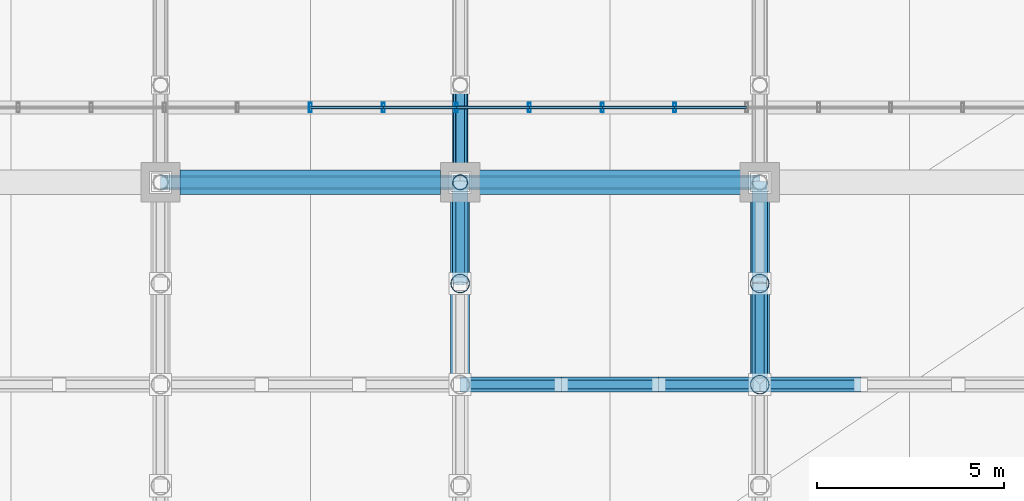
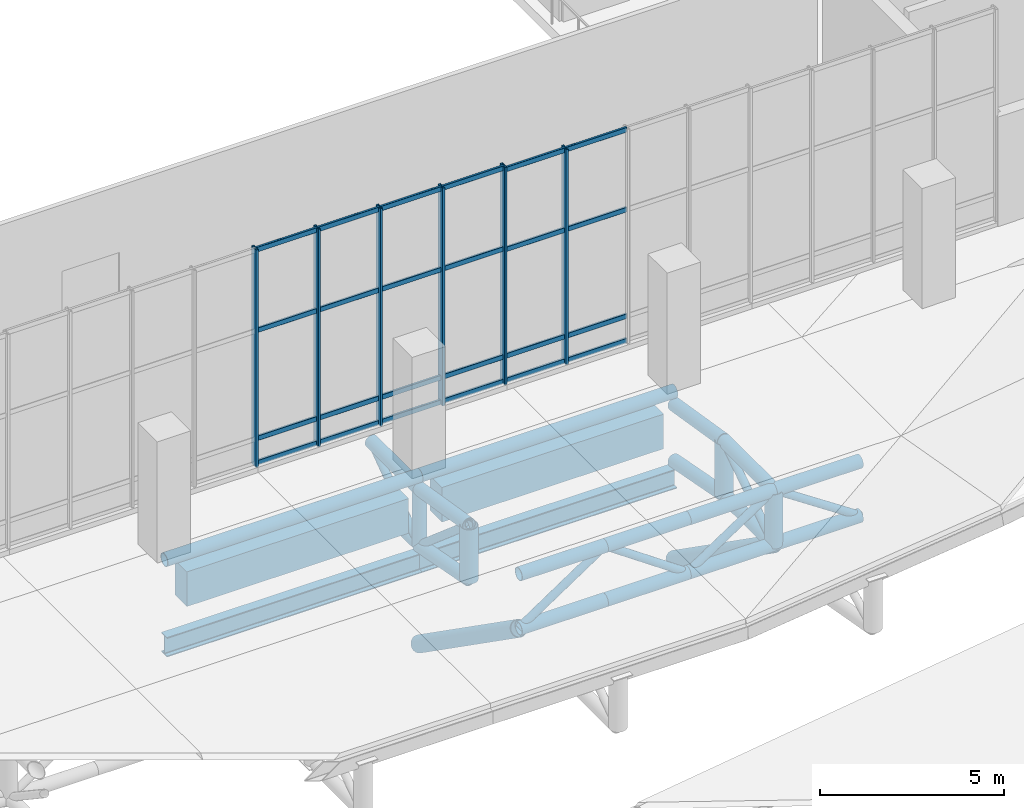
# One storey, part 29 of 137: 61 members, 4 beams, 3 elements without a shape of their own.
"""IFC4 building model written with IfcOpenShell, lengths in metres."""

from ifc_helpers import new_model, si_unit, direction, frame, origin, origin_2d, place, context, subcontext, project, spatial, rectangle, hollow_rectangle, hollow_circle, i_section, extrude, material, layer, layer_set, material_profile, profile_set, type_object, element, aggregate, save


model = new_model("IFC4")

# Units and contexts
model_context = context("Model", 3, precision=1e-05, world=origin(), true_north=direction((0.0, 1.0)))
body_context = subcontext(model_context, "Body", "Model", "MODEL_VIEW")
ifc_project = project(units=[si_unit("LENGTHUNIT", "METRE"), si_unit("AREAUNIT", "SQUARE_METRE"), si_unit("VOLUMEUNIT", "CUBIC_METRE"), si_unit("PLANEANGLEUNIT", "RADIAN"), si_unit("MASSUNIT", "GRAM", prefix="KILO")], contexts=[model_context])

# Site, building, storey
site_placement = place(None, origin())
site = spatial("IfcSite", under=ifc_project, at=site_placement, CompositionType="ELEMENT")
building_placement = place(site_placement, origin())
building = spatial("IfcBuilding", under=site, at=building_placement, Name="Khorjan Park Terminus", CompositionType="ELEMENT")
storey_placement = place(building_placement, frame((0.0, 0.0, 11.4)))
storey = spatial("IfcBuildingStorey", under=building, at=storey_placement, Name="L02", CompositionType="ELEMENT", Elevation=11.4)

# Members
ifc_material_1 = material(Name="Steel S355", Category="steel")
ifc_material_profile_1 = material_profile(ifc_material_1, hollow_circle(Radius=0.1222, WallThickness=0.0125, at=origin_2d()), Name="CHS 244.5x12.5")
ifc_profile_set_1 = profile_set([ifc_material_profile_1], Name="Steel S355")
member_type_1 = type_object("IfcMemberType", Name="MB-BR-245", PredefinedType="BRACE", material=ifc_profile_set_1)
member_1_placement = place(storey_placement, frame((96.0, 26.0, -1.92), z_axis=(0.0, 0.811830357573, 0.583893372562), x_axis=(-1.0, 0.0, 0.0)))
element("IfcMember", 1, at=member_1_placement, inside=storey, type_object=member_type_1, Name="Lower shell cantilever truss diagonal (7S)", PredefinedType="BRACE", context=body_context, shape_type="SweptSolid", body=[
    extrude(hollow_circle(Radius=0.1222, WallThickness=0.0125, at=origin_2d()), origin(), (0.0, 0.0, 1.0), 3.2026),
])
ifc_material_profile_2 = material_profile(ifc_material_1, hollow_circle(Radius=0.1222, WallThickness=0.0125, at=origin_2d()), Name="CHS 244.5x12.5")
ifc_profile_set_2 = profile_set([ifc_material_profile_2], Name="Steel S355")
member_type_2 = type_object("IfcMemberType", Name="MB-BRE-245", PredefinedType="BRACE", material=ifc_profile_set_2)
member_2_placement = place(storey_placement, frame((96.0, 23.3, 0.392), z_axis=(0.0, 0.759574242279, -0.650420610426), x_axis=(-1.0, 0.0, 0.0)))
element("IfcMember", 2, at=member_2_placement, inside=storey, type_object=member_type_2, Name="Lower shell cantilever truss diagonal (7S)", PredefinedType="BRACE", context=body_context, shape_type="SweptSolid", body=[
    extrude(hollow_circle(Radius=0.1222, WallThickness=0.0125, at=origin_2d()), origin(), (0.0, 0.0, 1.0), 3.5546),
])
for number, where, z_axis, x_axis, name in (
    (3, (104.0, 20.6, -1.408), (0.0, 0.832050294338, 0.554700196225), (-1.0, 0.0, 0.0), "Lower shell cantilever truss diagonal (8S)"),
    (4, (96.0, 20.6, -1.408), (0.832050294338, 0.0, 0.554700196225), (0.0, 1.0, 0.0), "Lower shell mid-ring diagonal (S23)"),
):
    element("IfcMember", number, at=place(storey_placement, frame(where, z_axis=z_axis, x_axis=x_axis)), inside=storey, type_object=member_type_2, Name=name, PredefinedType="BRACE", context=body_context, shape_type="SweptSolid", body=[
        extrude(hollow_circle(Radius=0.1222, WallThickness=0.0125, at=origin_2d()), origin(), (0.0, 0.0, 1.0), 3.245),
    ])
member_3_placement = place(storey_placement, frame((98.7, 20.6, 0.392), z_axis=(0.822192191644, 0.0, -0.56920997883), x_axis=(0.0, 1.0, 0.0)))
element("IfcMember", 5, at=member_3_placement, inside=storey, type_object=member_type_2, Name="Lower shell mid-ring diagonal (S24)", PredefinedType="BRACE", context=body_context, shape_type="SweptSolid", body=[
    extrude(hollow_circle(Radius=0.1222, WallThickness=0.0125, at=origin_2d()), origin(), (0.0, 0.0, 1.0), 3.1623),
])
for number, where, z_axis, x_axis, name in (
    (6, (101.3, 20.6, -1.408), (0.832050294338, 0.0, 0.554700196225), (0.0, 1.0, 0.0), "Lower shell mid-ring diagonal (S25)"),
    (7, (104.0, 20.6, 0.392), (0.832050294338, 0.0, -0.554700196225), (0.0, 1.0, 0.0), "Lower shell mid-ring diagonal (S26)"),
):
    element("IfcMember", number, at=place(storey_placement, frame(where, z_axis=z_axis, x_axis=x_axis)), inside=storey, type_object=member_type_2, Name=name, PredefinedType="BRACE", context=body_context, shape_type="SweptSolid", body=[
        extrude(hollow_circle(Radius=0.1222, WallThickness=0.0125, at=origin_2d()), origin(), (0.0, 0.0, 1.0), 3.245),
    ])
ifc_material_profile_3 = material_profile(ifc_material_1, hollow_circle(Radius=0.1778, WallThickness=0.016, at=origin_2d()), Name="CHS 355.6x16")
ifc_profile_set_3 = profile_set([ifc_material_profile_3], Name="Steel S355")
member_type_3 = type_object("IfcMemberType", Name="MB-CH-356", PredefinedType="CHORD", material=ifc_profile_set_3)
member_4_placement = place(storey_placement, frame((96.0, 26.0, -1.92), z_axis=(0.0, 1.0, 0.0), x_axis=(-1.0, 0.0, 0.0)))
element("IfcMember", 8, at=member_4_placement, inside=storey, type_object=member_type_3, Name="Lower shell cantilever truss bottom chord (7S)", PredefinedType="CHORD", context=body_context, shape_type="SweptSolid", body=[
    extrude(hollow_circle(Radius=0.1778, WallThickness=0.016, at=origin_2d()), origin(), (0.0, 0.0, 1.0), 2.6),
])
ifc_material_profile_4 = material_profile(ifc_material_1, hollow_circle(Radius=0.2032, WallThickness=0.016, at=origin_2d()), Name="CHS 406.4x16")
ifc_profile_set_4 = profile_set([ifc_material_profile_4], Name="Steel S355")
member_type_4 = type_object("IfcMemberType", Name="MB-CH-406", PredefinedType="CHORD", material=ifc_profile_set_4)
member_5_placement = place(storey_placement, frame((96.0, 26.0, -0.05), z_axis=(0.0, 1.0, 0.0), x_axis=(-1.0, 0.0, 0.0)))
element("IfcMember", 9, at=member_5_placement, inside=storey, type_object=member_type_4, Name="Lower shell cantilever truss top chord (7S)", PredefinedType="CHORD", context=body_context, shape_type="SweptSolid", body=[
    extrude(hollow_circle(Radius=0.2032, WallThickness=0.016, at=origin_2d()), origin(), (0.0, 0.0, 1.0), 2.6),
])
ifc_material_profile_5 = material_profile(ifc_material_1, hollow_circle(Radius=0.2032, WallThickness=0.016, at=origin_2d()), Name="CHS 406.4x16")
ifc_profile_set_5 = profile_set([ifc_material_profile_5], Name="Steel S355")
member_type_5 = type_object("IfcMemberType", Name="MB-CHE-406", PredefinedType="CHORD", material=ifc_profile_set_5)
for number, where, z_axis, x_axis, name in (
    (10, (88.0, 26.0, 0.392), (1.0, 0.0, 0.0), (0.0, 1.0, 0.0), "Lower wrapping shell rim chord (64)"),
    (11, (96.0, 26.0, 0.392), (1.0, 0.0, 0.0), (0.0, 1.0, 0.0), "Lower wrapping shell rim chord (65)"),
):
    element("IfcMember", number, at=place(storey_placement, frame(where, z_axis=z_axis, x_axis=x_axis)), inside=storey, type_object=member_type_5, Name=name, PredefinedType="CHORD", context=body_context, shape_type="SweptSolid", body=[
        extrude(hollow_circle(Radius=0.2032, WallThickness=0.016, at=origin_2d()), origin(), (0.0, 0.0, 1.0), 8.0),
    ])
member_6_placement = place(storey_placement, frame((96.0, 23.3, 0.392), z_axis=(0.0, 0.986863989833, -0.161553290188), x_axis=(-1.0, 0.0, 0.0)))
element("IfcMember", 12, at=member_6_placement, inside=storey, type_object=member_type_5, Name="Lower shell cantilever truss top chord (7S)", PredefinedType="CHORD", context=body_context, shape_type="SweptSolid", body=[
    extrude(hollow_circle(Radius=0.2032, WallThickness=0.016, at=origin_2d()), origin(), (0.0, 0.0, 1.0), 2.7359),
])
member_7_placement = place(storey_placement, frame((96.0, 23.3, -1.408), z_axis=(0.0, 0.98249111826, -0.18630942687), x_axis=(-1.0, 0.0, 0.0)))
element("IfcMember", 13, at=member_7_placement, inside=storey, type_object=member_type_5, Name="Lower shell cantilever truss bottom chord (7S)", PredefinedType="CHORD", context=body_context, shape_type="SweptSolid", body=[
    extrude(hollow_circle(Radius=0.2032, WallThickness=0.016, at=origin_2d()), origin(), (0.0, 0.0, 1.0), 2.7481),
])
for number, where, z_axis, x_axis, name in (
    (14, (104.0, 20.6, 0.392), (0.0, 1.0, 0.0), (-1.0, 0.0, 0.0), "Lower shell cantilever truss top chord (8S)"),
    (15, (104.0, 20.6, -1.408), (0.0, 1.0, 0.0), (-1.0, 0.0, 0.0), "Lower shell cantilever truss bottom chord (8S)"),
):
    element("IfcMember", number, at=place(storey_placement, frame(where, z_axis=z_axis, x_axis=x_axis)), inside=storey, type_object=member_type_5, Name=name, PredefinedType="CHORD", context=body_context, shape_type="SweptSolid", body=[
        extrude(hollow_circle(Radius=0.2032, WallThickness=0.016, at=origin_2d()), origin(), (0.0, 0.0, 1.0), 2.7),
    ])
member_8_placement = place(storey_placement, frame((104.0, 23.3, 0.392), z_axis=(0.0, 0.986863989833, -0.161553290188), x_axis=(-1.0, 0.0, 0.0)))
element("IfcMember", 16, at=member_8_placement, inside=storey, type_object=member_type_5, Name="Lower shell cantilever truss top chord (8S)", PredefinedType="CHORD", context=body_context, shape_type="SweptSolid", body=[
    extrude(hollow_circle(Radius=0.2032, WallThickness=0.016, at=origin_2d()), origin(), (0.0, 0.0, 1.0), 2.7359),
])
member_9_placement = place(storey_placement, frame((104.0, 23.3, -1.408), z_axis=(0.0, 0.98249111826, -0.18630942687), x_axis=(-1.0, 0.0, 0.0)))
element("IfcMember", 17, at=member_9_placement, inside=storey, type_object=member_type_5, Name="Lower shell cantilever truss bottom chord (8S)", PredefinedType="CHORD", context=body_context, shape_type="SweptSolid", body=[
    extrude(hollow_circle(Radius=0.2032, WallThickness=0.016, at=origin_2d()), origin(), (0.0, 0.0, 1.0), 2.7481),
])
for number, where, z_axis, x_axis, name in (
    (18, (96.0, 20.6, 0.392), (1.0, 0.0, 0.0), (0.0, 1.0, 0.0), "Lower shell mid-ring top chord (S23)"),
    (19, (96.0, 20.6, -1.408), (1.0, 0.0, 0.0), (0.0, 1.0, 0.0), "Lower shell mid-ring bottom chord (S23)"),
):
    element("IfcMember", number, at=place(storey_placement, frame(where, z_axis=z_axis, x_axis=x_axis)), inside=storey, type_object=member_type_5, Name=name, PredefinedType="CHORD", context=body_context, shape_type="SweptSolid", body=[
        extrude(hollow_circle(Radius=0.2032, WallThickness=0.016, at=origin_2d()), origin(), (0.0, 0.0, 1.0), 2.7),
    ])
for number, where, z_axis, x_axis, name in (
    (20, (98.7, 20.6, 0.392), (1.0, 0.0, 0.0), (0.0, 1.0, 0.0), "Lower shell mid-ring top chord (S24)"),
    (21, (98.7, 20.6, -1.408), (1.0, 0.0, 0.0), (0.0, 1.0, 0.0), "Lower shell mid-ring bottom chord (S24)"),
):
    element("IfcMember", number, at=place(storey_placement, frame(where, z_axis=z_axis, x_axis=x_axis)), inside=storey, type_object=member_type_5, Name=name, PredefinedType="CHORD", context=body_context, shape_type="SweptSolid", body=[
        extrude(hollow_circle(Radius=0.2032, WallThickness=0.016, at=origin_2d()), origin(), (0.0, 0.0, 1.0), 2.6),
    ])
for number, where, z_axis, x_axis, name in (
    (22, (101.3, 20.6, 0.392), (1.0, 0.0, 0.0), (0.0, 1.0, 0.0), "Lower shell mid-ring top chord (S25)"),
    (23, (101.3, 20.6, -1.408), (1.0, 0.0, 0.0), (0.0, 1.0, 0.0), "Lower shell mid-ring bottom chord (S25)"),
    (24, (104.0, 20.6, 0.392), (1.0, 0.0, 0.0), (0.0, 1.0, 0.0), "Lower shell mid-ring top chord (S26)"),
    (25, (104.0, 20.6, -1.408), (1.0, 0.0, 0.0), (0.0, 1.0, 0.0), "Lower shell mid-ring bottom chord (S26)"),
):
    element("IfcMember", number, at=place(storey_placement, frame(where, z_axis=z_axis, x_axis=x_axis)), inside=storey, type_object=member_type_5, Name=name, PredefinedType="CHORD", context=body_context, shape_type="SweptSolid", body=[
        extrude(hollow_circle(Radius=0.2032, WallThickness=0.016, at=origin_2d()), origin(), (0.0, 0.0, 1.0), 2.7),
    ])
ifc_material_profile_6 = material_profile(ifc_material_1, hollow_circle(Radius=0.2032, WallThickness=0.016, at=origin_2d()), Name="CHS 406.4x16")
ifc_profile_set_6 = profile_set([ifc_material_profile_6], Name="Steel S355")
member_type_6 = type_object("IfcMemberType", Name="MB-ST-406", PredefinedType="STRUT", material=ifc_profile_set_6)
member_10_placement = place(storey_placement, frame((96.0, 26.0, -1.92), z_axis=(0.0, 0.0, 1.0), x_axis=(1.0, 0.0, 0.0)))
element("IfcMember", 26, at=member_10_placement, inside=storey, type_object=member_type_6, Name="Lower shell cantilever truss post (7S)", PredefinedType="STRUT", context=body_context, shape_type="SweptSolid", body=[
    extrude(hollow_circle(Radius=0.2032, WallThickness=0.016, at=origin_2d()), origin(), (0.0, 0.0, 1.0), 1.87),
])
ifc_material_profile_7 = material_profile(ifc_material_1, hollow_circle(Radius=0.254, WallThickness=0.02, at=origin_2d()), Name="CHS 508x20")
ifc_profile_set_7 = profile_set([ifc_material_profile_7], Name="Steel S355")
member_type_7 = type_object("IfcMemberType", Name="MB-STE-508", PredefinedType="STRUT", material=ifc_profile_set_7)
member_11_placement = place(storey_placement, frame((96.0, 23.3, -1.408), z_axis=(0.0, 0.0, 1.0), x_axis=(1.0, 0.0, 0.0)))
element("IfcMember", 27, at=member_11_placement, inside=storey, type_object=member_type_7, Name="Lower shell cantilever truss post (7S)", PredefinedType="STRUT", context=body_context, shape_type="SweptSolid", body=[
    extrude(hollow_circle(Radius=0.254, WallThickness=0.02, at=origin_2d()), origin(), (0.0, 0.0, 1.0), 1.8),
])
member_12_placement = place(storey_placement, frame((96.0, 26.0, -5.2), z_axis=(0.0, -0.818376628533, 0.574682254703), x_axis=(1.0, 0.0, 0.0)))
element("IfcMember", 28, at=member_12_placement, inside=storey, type_object=member_type_7, Name="Lower shell raked overhang V-strut STE-51 (7S)", PredefinedType="STRUT", context=body_context, shape_type="SweptSolid", body=[
    extrude(hollow_circle(Radius=0.254, WallThickness=0.02, at=origin_2d()), origin(), (0.0, 0.0, 1.0), 6.5984),
])
for number, where, z_axis, x_axis, name in (
    (29, (104.0, 20.6, -1.408), (0.0, 0.0, 1.0), (1.0, 0.0, 0.0), "Lower shell cantilever truss post (8S)"),
    (30, (104.0, 23.3, -1.408), (0.0, 0.0, 1.0), (1.0, 0.0, 0.0), "Lower shell cantilever truss post (8S)"),
):
    element("IfcMember", number, at=place(storey_placement, frame(where, z_axis=z_axis, x_axis=x_axis)), inside=storey, type_object=member_type_7, Name=name, PredefinedType="STRUT", context=body_context, shape_type="SweptSolid", body=[
        extrude(hollow_circle(Radius=0.254, WallThickness=0.02, at=origin_2d()), origin(), (0.0, 0.0, 1.0), 1.8),
    ])
member_13_placement = place(storey_placement, frame((104.0, 26.0, -5.2), z_axis=(0.0, -0.818376628533, 0.574682254703), x_axis=(1.0, 0.0, 0.0)))
element("IfcMember", 31, at=member_13_placement, inside=storey, type_object=member_type_7, Name="Lower shell raked overhang V-strut STE-51 (8S)", PredefinedType="STRUT", context=body_context, shape_type="SweptSolid", body=[
    extrude(hollow_circle(Radius=0.254, WallThickness=0.02, at=origin_2d()), origin(), (0.0, 0.0, 1.0), 6.5984),
])

# Curtain wall, member
ifc_material_2 = material(Name="Anodized Bronze Aluminium", Category="aluminium")
ifc_layer = layer(ifc_material_2, 0.22)
ifc_layer_set = layer_set([ifc_layer], Name="Anodized Bronze Aluminium")
curtain_wall_type = type_object("IfcCurtainWallType", Name="CW-CONC-CLR", PredefinedType="NOTDEFINED", material=ifc_layer_set)
curtain_wall_1_placement = place(storey_placement, origin())
curtain_wall_1 = element("IfcCurtainWall", 32, at=curtain_wall_1_placement, inside=storey, type_object=curtain_wall_type, Name="Unitized curtain wall CW-CL (CW-V2-S-CLR-04)", PredefinedType="NOTDEFINED")
ifc_material_profile_8 = material_profile(ifc_material_2, hollow_rectangle(XDim=0.08, YDim=0.25, WallThickness=0.005, InnerFilletRadius=0.005, OuterFilletRadius=0.01, at=origin_2d()), Name="ALM 80x250x5")
ifc_profile_set_8 = profile_set([ifc_material_profile_8], Name="Anodized Bronze Aluminium")
member_type_8 = type_object("IfcMemberType", Name="ML-ALM-250", PredefinedType="MULLION", material=ifc_profile_set_8)
member_14_placement = place(storey_placement, frame((92.0, 28.0, 0.915), z_axis=(0.0, 0.0, 1.0), x_axis=(1.0, 0.0, 0.0)))
member_14 = element("IfcMember", 33, at=member_14_placement, type_object=member_type_8, Name="Curtain-wall mullion ML-25 (CW-V2-S-CLR-04-4)", PredefinedType="MULLION", context=body_context, shape_type="SweptSolid", body=[
    extrude(hollow_rectangle(XDim=0.08, YDim=0.25, WallThickness=0.005, InnerFilletRadius=0.005, OuterFilletRadius=0.01, at=origin_2d()), origin(), (0.0, 0.0, 1.0), 7.2215),
])
aggregate(curtain_wall_1, [member_14])

# Curtain wall, members
curtain_wall_2_placement = place(storey_placement, origin())
curtain_wall_2 = element("IfcCurtainWall", 34, at=curtain_wall_2_placement, inside=storey, type_object=curtain_wall_type, Name="Unitized curtain wall CW-CL (CW-V2-S-CLR-05)", PredefinedType="NOTDEFINED")
member_15_placement = place(storey_placement, frame((93.95, 28.0, 0.915), z_axis=(0.0, 0.0, 1.0), x_axis=(1.0, 0.0, 0.0)))
member_15 = element("IfcMember", 35, at=member_15_placement, type_object=member_type_8, Name="Curtain-wall mullion ML-25 (CW-V2-S-CLR-05-1)", PredefinedType="MULLION", context=body_context, shape_type="SweptSolid", body=[
    extrude(hollow_rectangle(XDim=0.08, YDim=0.25, WallThickness=0.005, InnerFilletRadius=0.005, OuterFilletRadius=0.01, at=origin_2d()), origin(), (0.0, 0.0, 1.0), 7.2215),
])
member_16_placement = place(storey_placement, frame((95.9, 28.0, 0.915), z_axis=(0.0, 0.0, 1.0), x_axis=(1.0, 0.0, 0.0)))
member_16 = element("IfcMember", 36, at=member_16_placement, type_object=member_type_8, Name="Curtain-wall mullion ML-25 (CW-V2-S-CLR-05-2)", PredefinedType="MULLION", context=body_context, shape_type="SweptSolid", body=[
    extrude(hollow_rectangle(XDim=0.08, YDim=0.25, WallThickness=0.005, InnerFilletRadius=0.005, OuterFilletRadius=0.01, at=origin_2d()), origin(), (0.0, 0.0, 1.0), 7.2215),
])
member_17_placement = place(storey_placement, frame((97.85, 28.0, 0.915), z_axis=(0.0, 0.0, 1.0), x_axis=(1.0, 0.0, 0.0)))
member_17 = element("IfcMember", 37, at=member_17_placement, type_object=member_type_8, Name="Curtain-wall mullion ML-25 (CW-V2-S-CLR-05-3)", PredefinedType="MULLION", context=body_context, shape_type="SweptSolid", body=[
    extrude(hollow_rectangle(XDim=0.08, YDim=0.25, WallThickness=0.005, InnerFilletRadius=0.005, OuterFilletRadius=0.01, at=origin_2d()), origin(), (0.0, 0.0, 1.0), 7.2215),
])
member_18_placement = place(storey_placement, frame((99.8, 28.0, 0.915), z_axis=(0.0, 0.0, 1.0), x_axis=(1.0, 0.0, 0.0)))
member_18 = element("IfcMember", 38, at=member_18_placement, type_object=member_type_8, Name="Curtain-wall mullion ML-25 (CW-V2-S-CLR-05-4)", PredefinedType="MULLION", context=body_context, shape_type="SweptSolid", body=[
    extrude(hollow_rectangle(XDim=0.08, YDim=0.25, WallThickness=0.005, InnerFilletRadius=0.005, OuterFilletRadius=0.01, at=origin_2d()), origin(), (0.0, 0.0, 1.0), 7.2215),
])

# Curtain wall, member
curtain_wall_3_placement = place(storey_placement, origin())
curtain_wall_3 = element("IfcCurtainWall", 39, at=curtain_wall_3_placement, inside=storey, type_object=curtain_wall_type, Name="Unitized curtain wall CW-CL (CW-V2-S-CLR-06)", PredefinedType="NOTDEFINED")
member_19_placement = place(storey_placement, frame((101.725, 28.0, 0.915), z_axis=(0.0, 0.0, 1.0), x_axis=(1.0, 0.0, 0.0)))
member_19 = element("IfcMember", 40, at=member_19_placement, type_object=member_type_8, Name="Curtain-wall mullion ML-25 (CW-V2-S-CLR-06-1)", PredefinedType="MULLION", context=body_context, shape_type="SweptSolid", body=[
    extrude(hollow_rectangle(XDim=0.08, YDim=0.25, WallThickness=0.005, InnerFilletRadius=0.005, OuterFilletRadius=0.01, at=origin_2d()), origin(), (0.0, 0.0, 1.0), 7.1432),
])

# Beams
ifc_material_profile_9 = material_profile(ifc_material_1, i_section(OverallWidth=0.3, OverallDepth=0.65, WebThickness=0.016, FlangeThickness=0.031, FilletRadius=0.027, at=origin_2d()), Name="HEB 650")
ifc_profile_set_9 = profile_set([ifc_material_profile_9], Name="Steel S355")
beam_type_1 = type_object("IfcBeamType", Name="SP-HEB650E", PredefinedType="SPANDREL", material=ifc_profile_set_9)
for number, where, z_axis, x_axis, name in (
    (41, (88.0, 26.0, -2.425), (1.0, 0.0, 0.0), (0.0, 1.0, 0.0), "Lower shell truss support girder SP-E65 (X6)"),
    (42, (96.0, 26.0, -2.425), (1.0, 0.0, 0.0), (0.0, 1.0, 0.0), "Lower shell truss support girder SP-E65 (X7)"),
):
    element("IfcBeam", number, at=place(storey_placement, frame(where, z_axis=z_axis, x_axis=x_axis)), inside=storey, type_object=beam_type_1, Name=name, PredefinedType="SPANDREL", context=body_context, shape_type="SweptSolid", body=[
        extrude(i_section(OverallWidth=0.3, OverallDepth=0.65, WebThickness=0.016, FlangeThickness=0.031, FilletRadius=0.027, at=origin_2d()), origin(), (0.0, 0.0, 1.0), 8.0),
    ])
ifc_material_3 = material(Name="Concrete C50/60", Category="concrete")
ifc_material_profile_10 = material_profile(ifc_material_3, rectangle(XDim=0.65, YDim=1.15, at=origin_2d()), Name="RC 650x1150")
ifc_profile_set_10 = profile_set([ifc_material_profile_10], Name="Concrete C50/60")
beam_type_2 = type_object("IfcBeamType", Name="SP-RC650x1150", PredefinedType="SPANDREL", material=ifc_profile_set_10)
for number, where, z_axis, x_axis, name in (
    (43, (88.52, 26.0, -0.575), (1.0, 0.0, 0.0), (0.0, 1.0, 0.0), "Concourse lower colonnade ring beam SP-11 (L02-47)"),
    (44, (96.52, 26.0, -0.575), (1.0, 0.0, 0.0), (0.0, 1.0, 0.0), "Concourse lower colonnade ring beam SP-11 (L02-49)"),
):
    element("IfcBeam", number, at=place(storey_placement, frame(where, z_axis=z_axis, x_axis=x_axis)), inside=storey, type_object=beam_type_2, Name=name, PredefinedType="SPANDREL", context=body_context, shape_type="SweptSolid", body=[
        extrude(rectangle(XDim=0.65, YDim=1.15, at=origin_2d()), origin(), (0.0, 0.0, 1.0), 6.96),
    ])

# Member
ifc_material_profile_11 = material_profile(ifc_material_2, hollow_rectangle(XDim=0.07, YDim=0.16, WallThickness=0.004, InnerFilletRadius=0.004, OuterFilletRadius=0.008, at=origin_2d()), Name="ALT 70x160x4")
ifc_profile_set_11 = profile_set([ifc_material_profile_11], Name="Anodized Bronze Aluminium")
member_type_9 = type_object("IfcMemberType", Name="TR-ALT-160", PredefinedType="USERDEFINED", material=ifc_profile_set_11)
member_20_placement = place(storey_placement, frame((92.0, 28.0, 0.99), z_axis=(1.0, 0.0, 0.0), x_axis=(0.0, 1.0, 0.0)))
member_20 = element("IfcMember", 45, at=member_20_placement, type_object=member_type_9, Name="Curtain-wall transom TR-16 (CW-V2-S-CLR-05-0-1)", ObjectType="TRANSOM", PredefinedType="USERDEFINED", context=body_context, shape_type="SweptSolid", body=[
    extrude(hollow_rectangle(XDim=0.07, YDim=0.16, WallThickness=0.004, InnerFilletRadius=0.004, OuterFilletRadius=0.008, at=origin_2d()), origin(), (0.0, 0.0, 1.0), 1.95),
])

member_21_placement = place(storey_placement, frame((92.0, 28.0, 1.8), z_axis=(1.0, 0.0, 0.0), x_axis=(0.0, 1.0, 0.0)))
member_21 = element("IfcMember", 46, at=member_21_placement, type_object=member_type_9, Name="Curtain-wall transom TR-16 (CW-V2-S-CLR-05-0-2)", ObjectType="TRANSOM", PredefinedType="USERDEFINED", context=body_context, shape_type="SweptSolid", body=[
    extrude(hollow_rectangle(XDim=0.07, YDim=0.16, WallThickness=0.004, InnerFilletRadius=0.004, OuterFilletRadius=0.008, at=origin_2d()), origin(), (0.0, 0.0, 1.0), 1.95),
])

member_22_placement = place(storey_placement, frame((92.0, 28.0, 5.3839), z_axis=(1.0, 0.0, 0.0), x_axis=(0.0, 1.0, 0.0)))
member_22 = element("IfcMember", 47, at=member_22_placement, type_object=member_type_9, Name="Curtain-wall transom TR-16 (CW-V2-S-CLR-05-0-3)", ObjectType="TRANSOM", PredefinedType="USERDEFINED", context=body_context, shape_type="SweptSolid", body=[
    extrude(hollow_rectangle(XDim=0.07, YDim=0.16, WallThickness=0.004, InnerFilletRadius=0.004, OuterFilletRadius=0.008, at=origin_2d()), origin(), (0.0, 0.0, 1.0), 1.95),
])

member_23_placement = place(storey_placement, frame((92.0, 28.0, 8.0615), z_axis=(1.0, 0.0, 0.0), x_axis=(0.0, 1.0, 0.0)))
member_23 = element("IfcMember", 48, at=member_23_placement, type_object=member_type_9, Name="Curtain-wall transom TR-16 (CW-V2-S-CLR-05-0-4)", ObjectType="TRANSOM", PredefinedType="USERDEFINED", context=body_context, shape_type="SweptSolid", body=[
    extrude(hollow_rectangle(XDim=0.07, YDim=0.16, WallThickness=0.004, InnerFilletRadius=0.004, OuterFilletRadius=0.008, at=origin_2d()), origin(), (0.0, 0.0, 1.0), 1.95),
])

member_24_placement = place(storey_placement, frame((93.95, 28.0, 0.99), z_axis=(1.0, 0.0, 0.0), x_axis=(0.0, 1.0, 0.0)))
member_24 = element("IfcMember", 49, at=member_24_placement, type_object=member_type_9, Name="Curtain-wall transom TR-16 (CW-V2-S-CLR-05-1-1)", ObjectType="TRANSOM", PredefinedType="USERDEFINED", context=body_context, shape_type="SweptSolid", body=[
    extrude(hollow_rectangle(XDim=0.07, YDim=0.16, WallThickness=0.004, InnerFilletRadius=0.004, OuterFilletRadius=0.008, at=origin_2d()), origin(), (0.0, 0.0, 1.0), 1.95),
])

member_25_placement = place(storey_placement, frame((93.95, 28.0, 1.8), z_axis=(1.0, 0.0, 0.0), x_axis=(0.0, 1.0, 0.0)))
member_25 = element("IfcMember", 50, at=member_25_placement, type_object=member_type_9, Name="Curtain-wall transom TR-16 (CW-V2-S-CLR-05-1-2)", ObjectType="TRANSOM", PredefinedType="USERDEFINED", context=body_context, shape_type="SweptSolid", body=[
    extrude(hollow_rectangle(XDim=0.07, YDim=0.16, WallThickness=0.004, InnerFilletRadius=0.004, OuterFilletRadius=0.008, at=origin_2d()), origin(), (0.0, 0.0, 1.0), 1.95),
])

member_26_placement = place(storey_placement, frame((93.95, 28.0, 5.3839), z_axis=(1.0, 0.0, 0.0), x_axis=(0.0, 1.0, 0.0)))
member_26 = element("IfcMember", 51, at=member_26_placement, type_object=member_type_9, Name="Curtain-wall transom TR-16 (CW-V2-S-CLR-05-1-3)", ObjectType="TRANSOM", PredefinedType="USERDEFINED", context=body_context, shape_type="SweptSolid", body=[
    extrude(hollow_rectangle(XDim=0.07, YDim=0.16, WallThickness=0.004, InnerFilletRadius=0.004, OuterFilletRadius=0.008, at=origin_2d()), origin(), (0.0, 0.0, 1.0), 1.95),
])

member_27_placement = place(storey_placement, frame((93.95, 28.0, 8.0615), z_axis=(1.0, 0.0, 0.0), x_axis=(0.0, 1.0, 0.0)))
member_27 = element("IfcMember", 52, at=member_27_placement, type_object=member_type_9, Name="Curtain-wall transom TR-16 (CW-V2-S-CLR-05-1-4)", ObjectType="TRANSOM", PredefinedType="USERDEFINED", context=body_context, shape_type="SweptSolid", body=[
    extrude(hollow_rectangle(XDim=0.07, YDim=0.16, WallThickness=0.004, InnerFilletRadius=0.004, OuterFilletRadius=0.008, at=origin_2d()), origin(), (0.0, 0.0, 1.0), 1.95),
])

member_28_placement = place(storey_placement, frame((95.9, 28.0, 0.99), z_axis=(1.0, 0.0, 0.0), x_axis=(0.0, 1.0, 0.0)))
member_28 = element("IfcMember", 53, at=member_28_placement, type_object=member_type_9, Name="Curtain-wall transom TR-16 (CW-V2-S-CLR-05-2-1)", ObjectType="TRANSOM", PredefinedType="USERDEFINED", context=body_context, shape_type="SweptSolid", body=[
    extrude(hollow_rectangle(XDim=0.07, YDim=0.16, WallThickness=0.004, InnerFilletRadius=0.004, OuterFilletRadius=0.008, at=origin_2d()), origin(), (0.0, 0.0, 1.0), 1.95),
])

member_29_placement = place(storey_placement, frame((95.9, 28.0, 1.8), z_axis=(1.0, 0.0, 0.0), x_axis=(0.0, 1.0, 0.0)))
member_29 = element("IfcMember", 54, at=member_29_placement, type_object=member_type_9, Name="Curtain-wall transom TR-16 (CW-V2-S-CLR-05-2-2)", ObjectType="TRANSOM", PredefinedType="USERDEFINED", context=body_context, shape_type="SweptSolid", body=[
    extrude(hollow_rectangle(XDim=0.07, YDim=0.16, WallThickness=0.004, InnerFilletRadius=0.004, OuterFilletRadius=0.008, at=origin_2d()), origin(), (0.0, 0.0, 1.0), 1.95),
])

member_30_placement = place(storey_placement, frame((95.9, 28.0, 5.3839), z_axis=(1.0, 0.0, 0.0), x_axis=(0.0, 1.0, 0.0)))
member_30 = element("IfcMember", 55, at=member_30_placement, type_object=member_type_9, Name="Curtain-wall transom TR-16 (CW-V2-S-CLR-05-2-3)", ObjectType="TRANSOM", PredefinedType="USERDEFINED", context=body_context, shape_type="SweptSolid", body=[
    extrude(hollow_rectangle(XDim=0.07, YDim=0.16, WallThickness=0.004, InnerFilletRadius=0.004, OuterFilletRadius=0.008, at=origin_2d()), origin(), (0.0, 0.0, 1.0), 1.95),
])

member_31_placement = place(storey_placement, frame((95.9, 28.0, 8.0615), z_axis=(1.0, 0.0, 0.0), x_axis=(0.0, 1.0, 0.0)))
member_31 = element("IfcMember", 56, at=member_31_placement, type_object=member_type_9, Name="Curtain-wall transom TR-16 (CW-V2-S-CLR-05-2-4)", ObjectType="TRANSOM", PredefinedType="USERDEFINED", context=body_context, shape_type="SweptSolid", body=[
    extrude(hollow_rectangle(XDim=0.07, YDim=0.16, WallThickness=0.004, InnerFilletRadius=0.004, OuterFilletRadius=0.008, at=origin_2d()), origin(), (0.0, 0.0, 1.0), 1.95),
])

member_32_placement = place(storey_placement, frame((97.85, 28.0, 0.99), z_axis=(1.0, 0.0, 0.0), x_axis=(0.0, 1.0, 0.0)))
member_32 = element("IfcMember", 57, at=member_32_placement, type_object=member_type_9, Name="Curtain-wall transom TR-16 (CW-V2-S-CLR-05-3-1)", ObjectType="TRANSOM", PredefinedType="USERDEFINED", context=body_context, shape_type="SweptSolid", body=[
    extrude(hollow_rectangle(XDim=0.07, YDim=0.16, WallThickness=0.004, InnerFilletRadius=0.004, OuterFilletRadius=0.008, at=origin_2d()), origin(), (0.0, 0.0, 1.0), 1.95),
])

member_33_placement = place(storey_placement, frame((97.85, 28.0, 1.8), z_axis=(1.0, 0.0, 0.0), x_axis=(0.0, 1.0, 0.0)))
member_33 = element("IfcMember", 58, at=member_33_placement, type_object=member_type_9, Name="Curtain-wall transom TR-16 (CW-V2-S-CLR-05-3-2)", ObjectType="TRANSOM", PredefinedType="USERDEFINED", context=body_context, shape_type="SweptSolid", body=[
    extrude(hollow_rectangle(XDim=0.07, YDim=0.16, WallThickness=0.004, InnerFilletRadius=0.004, OuterFilletRadius=0.008, at=origin_2d()), origin(), (0.0, 0.0, 1.0), 1.95),
])

member_34_placement = place(storey_placement, frame((97.85, 28.0, 5.3839), z_axis=(1.0, 0.0, 0.0), x_axis=(0.0, 1.0, 0.0)))
member_34 = element("IfcMember", 59, at=member_34_placement, type_object=member_type_9, Name="Curtain-wall transom TR-16 (CW-V2-S-CLR-05-3-3)", ObjectType="TRANSOM", PredefinedType="USERDEFINED", context=body_context, shape_type="SweptSolid", body=[
    extrude(hollow_rectangle(XDim=0.07, YDim=0.16, WallThickness=0.004, InnerFilletRadius=0.004, OuterFilletRadius=0.008, at=origin_2d()), origin(), (0.0, 0.0, 1.0), 1.95),
])

member_35_placement = place(storey_placement, frame((97.85, 28.0, 8.0615), z_axis=(1.0, 0.0, 0.0), x_axis=(0.0, 1.0, 0.0)))
member_35 = element("IfcMember", 60, at=member_35_placement, type_object=member_type_9, Name="Curtain-wall transom TR-16 (CW-V2-S-CLR-05-3-4)", ObjectType="TRANSOM", PredefinedType="USERDEFINED", context=body_context, shape_type="SweptSolid", body=[
    extrude(hollow_rectangle(XDim=0.07, YDim=0.16, WallThickness=0.004, InnerFilletRadius=0.004, OuterFilletRadius=0.008, at=origin_2d()), origin(), (0.0, 0.0, 1.0), 1.95),
])

aggregate(curtain_wall_2, [member_15, member_16, member_17, member_18, member_20, member_21, member_22, member_23, member_24, member_25, member_26, member_27, member_28, member_29, member_30, member_31, member_32, member_33, member_34, member_35])

member_36_placement = place(storey_placement, frame((99.8, 28.0, 0.99), z_axis=(1.0, 0.0, 0.0), x_axis=(0.0, 1.0, 0.0)))
member_36 = element("IfcMember", 61, at=member_36_placement, type_object=member_type_9, Name="Curtain-wall transom TR-16 (CW-V2-S-CLR-06-0-1)", ObjectType="TRANSOM", PredefinedType="USERDEFINED", context=body_context, shape_type="SweptSolid", body=[
    extrude(hollow_rectangle(XDim=0.07, YDim=0.16, WallThickness=0.004, InnerFilletRadius=0.004, OuterFilletRadius=0.008, at=origin_2d()), origin(), (0.0, 0.0, 1.0), 1.925),
])

member_37_placement = place(storey_placement, frame((99.8, 28.0, 1.8), z_axis=(1.0, 0.0, 0.0), x_axis=(0.0, 1.0, 0.0)))
member_37 = element("IfcMember", 62, at=member_37_placement, type_object=member_type_9, Name="Curtain-wall transom TR-16 (CW-V2-S-CLR-06-0-2)", ObjectType="TRANSOM", PredefinedType="USERDEFINED", context=body_context, shape_type="SweptSolid", body=[
    extrude(hollow_rectangle(XDim=0.07, YDim=0.16, WallThickness=0.004, InnerFilletRadius=0.004, OuterFilletRadius=0.008, at=origin_2d()), origin(), (0.0, 0.0, 1.0), 1.925),
])

member_38_placement = place(storey_placement, frame((99.8, 28.0, 5.3354), z_axis=(1.0, 0.0, 0.0), x_axis=(0.0, 1.0, 0.0)))
member_38 = element("IfcMember", 63, at=member_38_placement, type_object=member_type_9, Name="Curtain-wall transom TR-16 (CW-V2-S-CLR-06-0-3)", ObjectType="TRANSOM", PredefinedType="USERDEFINED", context=body_context, shape_type="SweptSolid", body=[
    extrude(hollow_rectangle(XDim=0.07, YDim=0.16, WallThickness=0.004, InnerFilletRadius=0.004, OuterFilletRadius=0.008, at=origin_2d()), origin(), (0.0, 0.0, 1.0), 1.925),
])

member_39_placement = place(storey_placement, frame((99.8, 28.0, 7.9832), z_axis=(1.0, 0.0, 0.0), x_axis=(0.0, 1.0, 0.0)))
member_39 = element("IfcMember", 64, at=member_39_placement, type_object=member_type_9, Name="Curtain-wall transom TR-16 (CW-V2-S-CLR-06-0-4)", ObjectType="TRANSOM", PredefinedType="USERDEFINED", context=body_context, shape_type="SweptSolid", body=[
    extrude(hollow_rectangle(XDim=0.07, YDim=0.16, WallThickness=0.004, InnerFilletRadius=0.004, OuterFilletRadius=0.008, at=origin_2d()), origin(), (0.0, 0.0, 1.0), 1.925),
])

member_40_placement = place(storey_placement, frame((101.725, 28.0, 0.99), z_axis=(1.0, 0.0, 0.0), x_axis=(0.0, 1.0, 0.0)))
member_40 = element("IfcMember", 65, at=member_40_placement, type_object=member_type_9, Name="Curtain-wall transom TR-16 (CW-V2-S-CLR-06-1-1)", ObjectType="TRANSOM", PredefinedType="USERDEFINED", context=body_context, shape_type="SweptSolid", body=[
    extrude(hollow_rectangle(XDim=0.07, YDim=0.16, WallThickness=0.004, InnerFilletRadius=0.004, OuterFilletRadius=0.008, at=origin_2d()), origin(), (0.0, 0.0, 1.0), 1.925),
])

member_41_placement = place(storey_placement, frame((101.725, 28.0, 1.8), z_axis=(1.0, 0.0, 0.0), x_axis=(0.0, 1.0, 0.0)))
member_41 = element("IfcMember", 66, at=member_41_placement, type_object=member_type_9, Name="Curtain-wall transom TR-16 (CW-V2-S-CLR-06-1-2)", ObjectType="TRANSOM", PredefinedType="USERDEFINED", context=body_context, shape_type="SweptSolid", body=[
    extrude(hollow_rectangle(XDim=0.07, YDim=0.16, WallThickness=0.004, InnerFilletRadius=0.004, OuterFilletRadius=0.008, at=origin_2d()), origin(), (0.0, 0.0, 1.0), 1.925),
])

member_42_placement = place(storey_placement, frame((101.725, 28.0, 5.3354), z_axis=(1.0, 0.0, 0.0), x_axis=(0.0, 1.0, 0.0)))
member_42 = element("IfcMember", 67, at=member_42_placement, type_object=member_type_9, Name="Curtain-wall transom TR-16 (CW-V2-S-CLR-06-1-3)", ObjectType="TRANSOM", PredefinedType="USERDEFINED", context=body_context, shape_type="SweptSolid", body=[
    extrude(hollow_rectangle(XDim=0.07, YDim=0.16, WallThickness=0.004, InnerFilletRadius=0.004, OuterFilletRadius=0.008, at=origin_2d()), origin(), (0.0, 0.0, 1.0), 1.925),
])

member_43_placement = place(storey_placement, frame((101.725, 28.0, 7.9832), z_axis=(1.0, 0.0, 0.0), x_axis=(0.0, 1.0, 0.0)))
member_43 = element("IfcMember", 68, at=member_43_placement, type_object=member_type_9, Name="Curtain-wall transom TR-16 (CW-V2-S-CLR-06-1-4)", ObjectType="TRANSOM", PredefinedType="USERDEFINED", context=body_context, shape_type="SweptSolid", body=[
    extrude(hollow_rectangle(XDim=0.07, YDim=0.16, WallThickness=0.004, InnerFilletRadius=0.004, OuterFilletRadius=0.008, at=origin_2d()), origin(), (0.0, 0.0, 1.0), 1.925),
])

aggregate(curtain_wall_3, [member_19, member_36, member_37, member_38, member_39, member_40, member_41, member_42, member_43])

save(model, "model.ifc")
